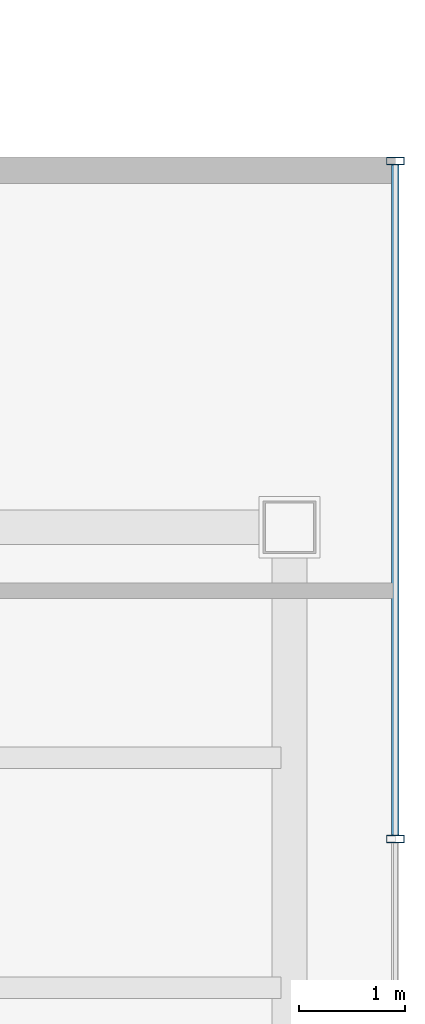
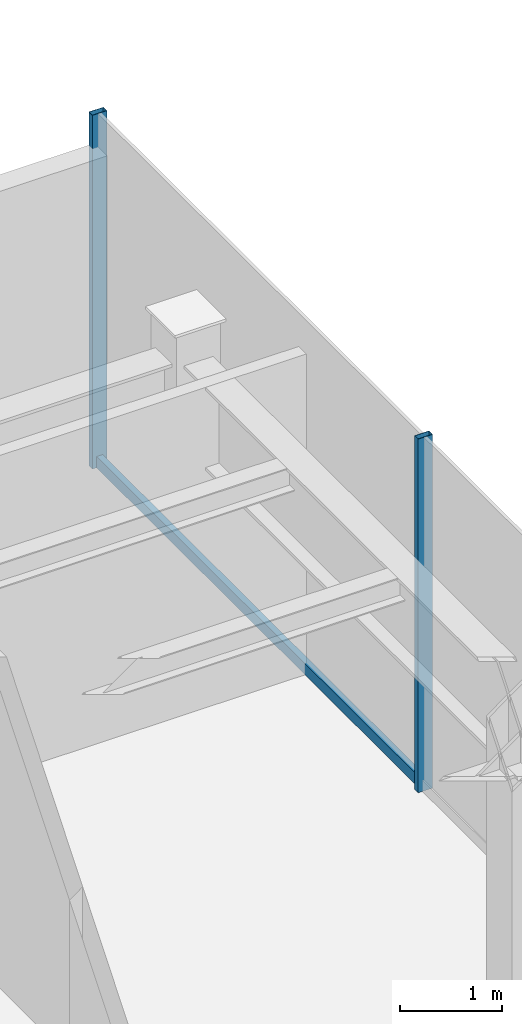
# One storey, part 13 of 24: 3 members, 1 element without a shape of its own.
"""IFC4 building model written with IfcOpenShell, lengths in metres."""

import ifcopenshell
import ifcopenshell.guid

model = None  # the IFC model being written
_history = None  # IfcOwnerHistory: only IFC2X3 demands one
_inside = {}  # id of a spatial element -> (the spatial element, [elements in it])
_under = {}  # id of a project, library or spatial element -> (it, [spatial elements below it])
_declared = {}  # id of a project -> (the project, [libraries it declares])
_typed = {}  # id of a type object -> (the type object, [elements of that type])
_made_of = {}  # id of a material, layer set ... -> (it, [elements and type objects made of it])


def new_model(schema):
    """Start an empty IFC model of exactly this schema.

    Asked for "IFC4X3", IfcOpenShell would pick the latest addendum, in which some entities
    have other attributes; the version numbers below select the first issue.
    IFC2X3 requires an IfcOwnerHistory on every rooted entity: one is made here for all.
    """
    global model, _history
    if schema == "IFC4X3":
        model = ifcopenshell.file(schema_version=(4, 3, 0, 0))
    else:
        model = ifcopenshell.file(schema=schema)
    _inside.clear()
    _under.clear()
    _declared.clear()
    _typed.clear()
    _made_of.clear()
    _history = None
    if model.schema == "IFC2X3":
        org = make("IfcOrganization", Name="unknown")
        user = make(
            "IfcPersonAndOrganization",
            ThePerson=make("IfcPerson", FamilyName="unknown"),
            TheOrganization=org,
        )
        app = make(
            "IfcApplication",
            ApplicationDeveloper=org,
            Version="unknown",
            ApplicationFullName="unknown",
            ApplicationIdentifier="unknown",
        )
        _history = make(
            "IfcOwnerHistory",
            OwningUser=user,
            OwningApplication=app,
            ChangeAction="ADDED",
            CreationDate=0,
        )
    return model


def make(cls, **values):
    """One entity of the class cls with the attributes given. An attribute that is None is left unset."""
    return model.create_entity(
        cls, **{name: value for name, value in values.items() if value is not None}
    )


def rooted(cls, **values):
    """An entity with a GlobalId (a new one), such as an element, a storey or a relation."""
    return make(cls, GlobalId=ifcopenshell.guid.new(), OwnerHistory=_history, **values)


def si_unit(unit_type, name, prefix=None):
    """IfcSIUnit, for example si_unit("LENGTHUNIT", "METRE", prefix="MILLI")."""
    return make("IfcSIUnit", UnitType=unit_type, Prefix=prefix, Name=name)


def derived_unit(unit_type, elements):
    """IfcDerivedUnit: a product of units, each with its exponent."""
    return make(
        "IfcDerivedUnit",
        Elements=[
            make("IfcDerivedUnitElement", Unit=unit, Exponent=power)
            for unit, power in elements
        ],
        UnitType=unit_type,
    )


def assignment(units):
    """IfcUnitAssignment: the units of a project."""
    return None if units is None else make("IfcUnitAssignment", Units=units)


def point(xyz):
    """IfcCartesianPoint."""
    return None if xyz is None else make("IfcCartesianPoint", Coordinates=xyz)


def direction(xyz):
    """IfcDirection."""
    return None if xyz is None else make("IfcDirection", DirectionRatios=xyz)


def frame(location, z_axis=None, x_axis=None):
    """IfcAxis2Placement3D, a coordinate frame: its origin and axes. An axis left out is left unset."""
    return make(
        "IfcAxis2Placement3D",
        Location=point(location),
        Axis=direction(z_axis),
        RefDirection=direction(x_axis),
    )


def frame_2d(location, x_axis=None):
    """IfcAxis2Placement2D, a coordinate frame in the plane: its origin and x axis."""
    return make(
        "IfcAxis2Placement2D", Location=point(location), RefDirection=direction(x_axis)
    )


def origin():
    """The frame at (0, 0, 0) with its axes left unset."""
    return frame((0.0, 0.0, 0.0))


def origin_2d():
    """The frame at (0, 0) in the plane with its x axis left unset."""
    return frame_2d((0.0, 0.0))


def place(relative_to, where):
    """IfcLocalPlacement: puts the frame where relative to a parent placement (None: the world)."""
    return make(
        "IfcLocalPlacement", PlacementRelTo=relative_to, RelativePlacement=where
    )


def context(
    kind, dimensions, precision=None, world=None, true_north=None, identifier=None
):
    """IfcGeometricRepresentationContext, for example the 3D "Model" context."""
    return make(
        "IfcGeometricRepresentationContext",
        ContextIdentifier=identifier,
        ContextType=kind,
        CoordinateSpaceDimension=dimensions,
        Precision=precision,
        WorldCoordinateSystem=world,
        TrueNorth=true_north,
    )


def subcontext(parent, identifier, kind, view, scale=None):
    """IfcGeometricRepresentationSubContext, for example "Body" below "Model"."""
    return make(
        "IfcGeometricRepresentationSubContext",
        ContextIdentifier=identifier,
        ContextType=kind,
        ParentContext=parent,
        TargetScale=scale,
        TargetView=view,
    )


def project(units=None, contexts=None):
    """IfcProject with its units and contexts."""
    return rooted(
        "IfcProject",
        Name="project",
        RepresentationContexts=contexts,
        UnitsInContext=assignment(units),
    )


def spatial(cls, under=None, at=None, **own):
    """A site, building, storey or space (cls), placed at a placement, below another one or the project."""
    s = rooted(cls, ObjectPlacement=at, **own)
    if under is not None:
        _under.setdefault(under.id(), (under, []))[1].append(s)
    return s


def profile(cls, at=None, kind="AREA", **sizes):
    """A parametric profile (cls). Its sizes go by their IFC names, for example OverallWidth=200.0."""
    return make(cls, ProfileType=kind, Position=at, **sizes)


def hollow_rectangle(**sizes):
    """IfcRectangleHollowProfileDef."""
    return profile("IfcRectangleHollowProfileDef", **sizes)


def extrude(swept, where, along, depth):
    """IfcExtrudedAreaSolid: the profile swept, set in the frame where, extruded along a direction by depth."""
    return make(
        "IfcExtrudedAreaSolid",
        SweptArea=swept,
        Position=where,
        ExtrudedDirection=direction(along),
        Depth=depth,
    )


def shape(context_of_items, identifier, shape_type, items):
    """IfcShapeRepresentation: the items that make up one representation, for example the "Body"."""
    return make(
        "IfcShapeRepresentation",
        ContextOfItems=context_of_items,
        RepresentationIdentifier=identifier,
        RepresentationType=shape_type,
        Items=items,
    )


def source(mapping_origin, context_of_items, identifier, shape_type, items):
    """IfcRepresentationMap: a shape defined once, which mapped items show again and again."""
    return make(
        "IfcRepresentationMap",
        MappingOrigin=mapping_origin,
        MappedRepresentation=shape(context_of_items, identifier, shape_type, items),
    )


def transform(
    local_origin,
    x_axis=None,
    y_axis=None,
    z_axis=None,
    scale=None,
    scale2=None,
    scale3=None,
    uniform=True,
):
    """IfcCartesianTransformationOperator3D, or its non-uniform kind. x_axis, y_axis, z_axis: its Axis1, 2, 3."""
    if uniform:
        return make(
            "IfcCartesianTransformationOperator3D",
            Axis1=direction(x_axis),
            Axis2=direction(y_axis),
            LocalOrigin=point(local_origin),
            Scale=scale,
            Axis3=direction(z_axis),
        )
    return make(
        "IfcCartesianTransformationOperator3DnonUniform",
        Axis1=direction(x_axis),
        Axis2=direction(y_axis),
        LocalOrigin=point(local_origin),
        Scale=scale,
        Axis3=direction(z_axis),
        Scale2=scale2,
        Scale3=scale3,
    )


def mapped(mapping_source, mapping_target):
    """IfcMappedItem: shows the shape of a source again, moved by a transform."""
    return make(
        "IfcMappedItem", MappingSource=mapping_source, MappingTarget=mapping_target
    )


def material(Name=None, Category=None):
    """IfcMaterial."""
    return make("IfcMaterial", Name=Name, Category=Category)


def material_profile(
    of_material, cross_section, Name=None, Category=None, Priority=None
):
    """IfcMaterialProfile: a cross section and its material."""
    return make(
        "IfcMaterialProfile",
        Name=Name,
        Material=of_material,
        Profile=cross_section,
        Priority=Priority,
        Category=Category,
    )


def profile_set(profiles, Name=None, composite=None):
    """IfcMaterialProfileSet."""
    return make(
        "IfcMaterialProfileSet",
        Name=Name,
        MaterialProfiles=profiles,
        CompositeProfile=composite,
    )


def made_of(thing, what):
    """Note that an element or type object is made of a material, layer set ...; save() writes the relation."""
    if what is not None:
        _made_of.setdefault(what.id(), (what, []))[1].append(thing)
    return thing


def type_object(cls, material=None, **own):
    """A type object (cls), such as IfcWallType, which elements share."""
    return made_of(rooted(cls, **own), material)


def element(
    cls,
    number,
    at=None,
    inside=None,
    cuts=None,
    type_object=None,
    material=None,
    context=None,
    identifier="Body",
    shape_type=None,
    held_by="IfcProductDefinitionShape",
    body=None,
    shapes=None,
    **own,
):
    """One element of the class cls, such as IfcWall. Its Tag is "e" and its number.

    at: its placement. inside: the storey or other place that contains it. cuts: it is an
    opening in that element (IfcRelVoidsElement). A single representation is given by context,
    identifier, shape_type and body (its items); several are given by shapes. held_by: the class
    of the entity that holds the representations. save() writes the other relations.
    """
    e = rooted(cls, Tag="e%d" % number, ObjectPlacement=at, **own)
    if body is not None:
        shapes = [shape(context, identifier, shape_type, body)]
    if shapes is not None:
        e.Representation = make(held_by, Representations=shapes)
    if inside is not None:
        _inside.setdefault(inside.id(), (inside, []))[1].append(e)
    if cuts is not None:
        rooted(
            "IfcRelVoidsElement", RelatingBuildingElement=cuts, RelatedOpeningElement=e
        )
    if type_object is not None:
        _typed.setdefault(type_object.id(), (type_object, []))[1].append(e)
    return made_of(e, material)


def aggregate(whole, parts):
    """IfcRelAggregates: a whole, such as a stair, and the parts it consists of."""
    return rooted("IfcRelAggregates", RelatingObject=whole, RelatedObjects=parts)


def save(model, path):
    """Write the relations noted so far, then the file.

    IfcRelAggregates (storeys below a building ...), IfcRelContainedInSpatialStructure (elements
    in a storey), IfcRelDefinesByType, IfcRelAssociatesMaterial and IfcRelDeclares: one each for
    every whole, place, type object, material and project.
    """
    for whole, parts in _under.values():
        aggregate(whole, parts)
    for where, things in _inside.values():
        rooted(
            "IfcRelContainedInSpatialStructure",
            RelatedElements=things,
            RelatingStructure=where,
        )
    for kind, things in _typed.values():
        rooted("IfcRelDefinesByType", RelatedObjects=things, RelatingType=kind)
    for what, things in _made_of.values():
        rooted("IfcRelAssociatesMaterial", RelatedObjects=things, RelatingMaterial=what)
    for by, libraries in _declared.values():
        rooted("IfcRelDeclares", RelatingContext=by, RelatedDefinitions=libraries)
    model.write(path)


model = new_model("IFC4")

# Units and contexts
model_context = context("Model", 3, precision=1e-05, world=origin(), true_north=direction((0.0, 1.0)))
body_context = subcontext(model_context, "Body", "Model", "MODEL_VIEW")
ifc_project = project(units=[si_unit("LENGTHUNIT", "METRE"), si_unit("AREAUNIT", "SQUARE_METRE"), si_unit("VOLUMEUNIT", "CUBIC_METRE"), si_unit("PLANEANGLEUNIT", "RADIAN"), si_unit("MASSUNIT", "GRAM", prefix="KILO"), derived_unit("THERMALTRANSMITTANCEUNIT", [(si_unit("POWERUNIT", "WATT"), 1), (si_unit("LENGTHUNIT", "METRE"), -2), (si_unit("THERMODYNAMICTEMPERATUREUNIT", "KELVIN"), -1)])], contexts=[model_context])

# Site, building, storey
site_placement = place(None, origin())
site = spatial("IfcSite", under=ifc_project, at=site_placement, CompositionType="ELEMENT")
building_placement = place(site_placement, origin())
building = spatial("IfcBuilding", under=site, at=building_placement, Name="Skarnbrae Concourse Arena and Tower", CompositionType="ELEMENT")
storey_placement = place(building_placement, frame((0.0, 0.0, 288.0)))
storey = spatial("IfcBuildingStorey", under=building, at=storey_placement, Name="L75", CompositionType="ELEMENT", Elevation=288.0)

# Curtain wall, members
ifc_material = material(Name="Bronze anodised aluminium 6063-T6", Category="aluminium")
curtain_wall_type = type_object("IfcCurtainWallType", Name="CW-SYS-06-SKYLOBBY", PredefinedType="USERDEFINED", material=ifc_material)
curtain_wall_placement = place(storey_placement, origin())
curtain_wall = element("IfcCurtainWall", 1, at=curtain_wall_placement, inside=storey, type_object=curtain_wall_type, Name="L75 Unitised curtain wall CW-L75-E04", ObjectType="UNITISED CURTAIN WALL", PredefinedType="USERDEFINED")
ifc_material_profile_1 = material_profile(ifc_material, hollow_rectangle(XDim=0.070068359375, YDim=0.1650390625, WallThickness=0.00390625, at=origin_2d()), Name="ALU-MULL-70X165")
ifc_profile_set_1 = profile_set([ifc_material_profile_1], Name="Bronze anodised aluminium 6063-T6")
member_type_1 = type_object("IfcMemberType", Name="CWM-CW-06", PredefinedType="MULLION", material=ifc_profile_set_1)
shared_shape_1 = source(origin(), body_context, "Body", "SweptSolid", [
    extrude(hollow_rectangle(XDim=0.070068359375, YDim=0.1650390625, WallThickness=0.00390625, at=origin_2d()), origin(), (0.0, 0.0, 1.0), 4.25),
])
member_1_placement = place(storey_placement, frame((43.0, 24.85009765625, 0.0), z_axis=(0.0, 0.0, 1.0), x_axis=(0.0, 1.0, 0.0)))
member_1 = element("IfcMember", 2, at=member_1_placement, type_object=member_type_1, Name="CW-L75-E04 Mullion 4", PredefinedType="MULLION", context=body_context, shape_type="MappedRepresentation", body=[
    mapped(shared_shape_1, transform((0.0, 0.0, 0.0))),
])
member_2_placement = place(storey_placement, frame((43.0, 31.264892578125, 0.0), z_axis=(0.0, 0.0, 1.0), x_axis=(0.0, 1.0, 0.0)))
member_2 = element("IfcMember", 3, at=member_2_placement, type_object=member_type_1, Name="CW-L75-E04 Mullion 5", PredefinedType="MULLION", context=body_context, shape_type="MappedRepresentation", body=[
    mapped(shared_shape_1, transform((0.0, 0.0, 0.0))),
])
ifc_material_profile_2 = material_profile(ifc_material, hollow_rectangle(XDim=0.070068359375, YDim=0.135009765625, WallThickness=0.00390625, at=origin_2d()), Name="ALU-TRAN-70X135")
ifc_profile_set_2 = profile_set([ifc_material_profile_2], Name="Bronze anodised aluminium 6063-T6")
member_type_2 = type_object("IfcMemberType", Name="CWT-CW-06", PredefinedType="USERDEFINED", material=ifc_profile_set_2)
shared_shape_2 = source(origin(), body_context, "Body", "SweptSolid", [
    extrude(hollow_rectangle(XDim=0.070068359375, YDim=0.135009765625, WallThickness=0.00390625, at=origin_2d()), origin(), (0.0, 0.0, 1.0), 6.344970703125),
])
member_3_placement = place(storey_placement, frame((43.0, 24.885009765625, 0.0673828125), z_axis=(0.0, 1.0, 0.0), x_axis=(-1.0, 0.0, 0.0)))
member_3 = element("IfcMember", 4, at=member_3_placement, type_object=member_type_2, Name="CW-L75-E04 Transom 4", ObjectType="TRANSOM", PredefinedType="USERDEFINED", context=body_context, shape_type="MappedRepresentation", body=[
    mapped(shared_shape_2, transform((0.0, 0.0, 0.0))),
])
aggregate(curtain_wall, [member_1, member_2, member_3])

save(model, "model.ifc")
